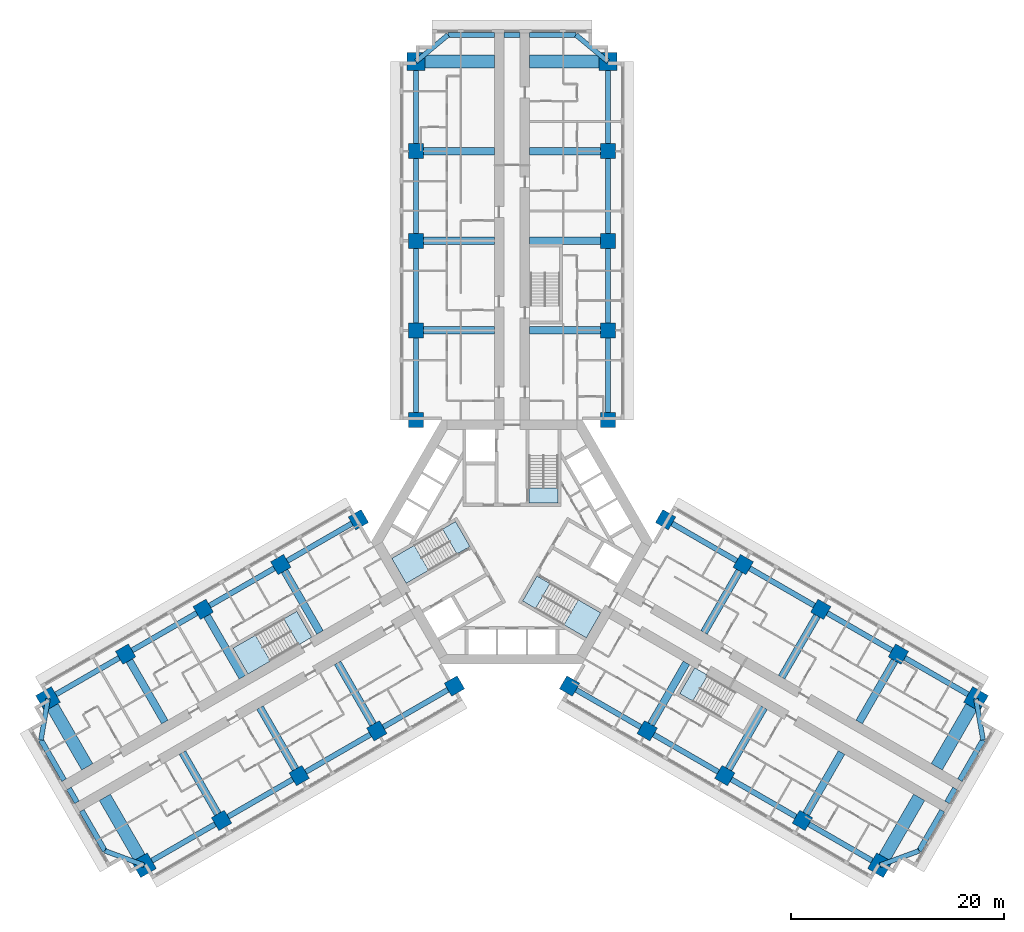
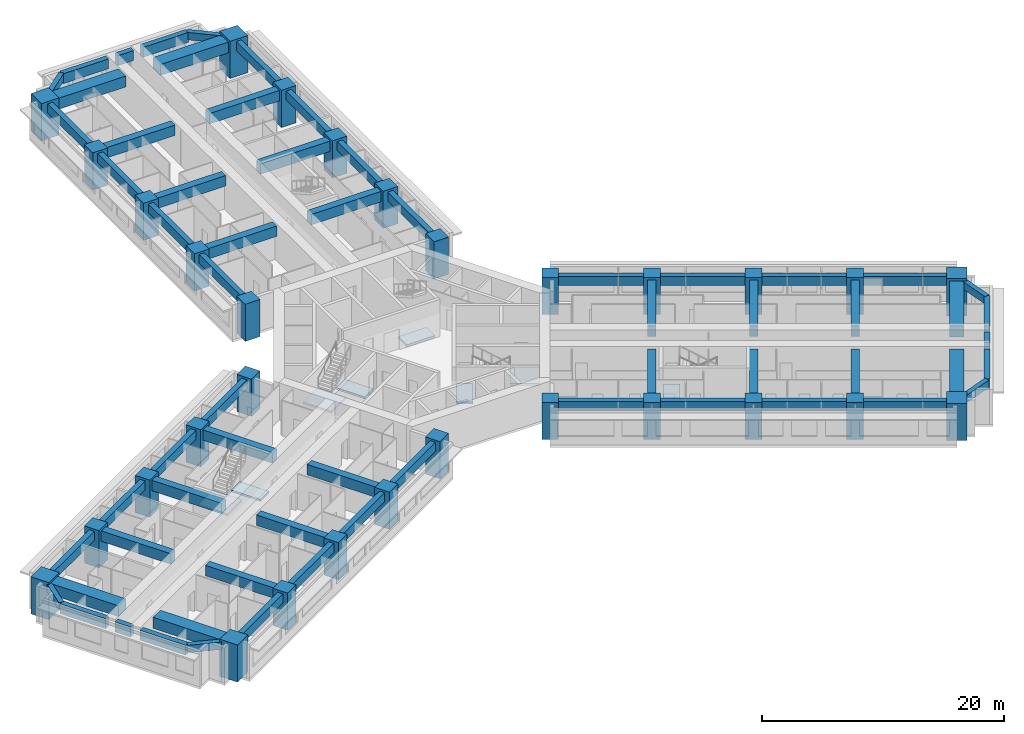
# One storey, part 1 of 15: 63 beams, 30 columns, 8 slabs, 5 elements without a shape of their own.
"""IFC4 building model written with IfcOpenShell, lengths in metres."""

import ifcopenshell
import ifcopenshell.guid

model = None  # the IFC model being written
_history = None  # IfcOwnerHistory: only IFC2X3 demands one
_inside = {}  # id of a spatial element -> (the spatial element, [elements in it])
_under = {}  # id of a project, library or spatial element -> (it, [spatial elements below it])
_declared = {}  # id of a project -> (the project, [libraries it declares])
_typed = {}  # id of a type object -> (the type object, [elements of that type])
_made_of = {}  # id of a material, layer set ... -> (it, [elements and type objects made of it])


def new_model(schema):
    """Start an empty IFC model of exactly this schema.

    Asked for "IFC4X3", IfcOpenShell would pick the latest addendum, in which some entities
    have other attributes; the version numbers below select the first issue.
    IFC2X3 requires an IfcOwnerHistory on every rooted entity: one is made here for all.
    """
    global model, _history
    if schema == "IFC4X3":
        model = ifcopenshell.file(schema_version=(4, 3, 0, 0))
    else:
        model = ifcopenshell.file(schema=schema)
    _inside.clear()
    _under.clear()
    _declared.clear()
    _typed.clear()
    _made_of.clear()
    _history = None
    if model.schema == "IFC2X3":
        org = make("IfcOrganization", Name="unknown")
        user = make(
            "IfcPersonAndOrganization",
            ThePerson=make("IfcPerson", FamilyName="unknown"),
            TheOrganization=org,
        )
        app = make(
            "IfcApplication",
            ApplicationDeveloper=org,
            Version="unknown",
            ApplicationFullName="unknown",
            ApplicationIdentifier="unknown",
        )
        _history = make(
            "IfcOwnerHistory",
            OwningUser=user,
            OwningApplication=app,
            ChangeAction="ADDED",
            CreationDate=0,
        )
    return model


def make(cls, **values):
    """One entity of the class cls with the attributes given. An attribute that is None is left unset."""
    return model.create_entity(
        cls, **{name: value for name, value in values.items() if value is not None}
    )


def rooted(cls, **values):
    """An entity with a GlobalId (a new one), such as an element, a storey or a relation."""
    return make(cls, GlobalId=ifcopenshell.guid.new(), OwnerHistory=_history, **values)


def si_unit(unit_type, name, prefix=None):
    """IfcSIUnit, for example si_unit("LENGTHUNIT", "METRE", prefix="MILLI")."""
    return make("IfcSIUnit", UnitType=unit_type, Prefix=prefix, Name=name)


def assignment(units):
    """IfcUnitAssignment: the units of a project."""
    return None if units is None else make("IfcUnitAssignment", Units=units)


def point(xyz):
    """IfcCartesianPoint."""
    return None if xyz is None else make("IfcCartesianPoint", Coordinates=xyz)


def direction(xyz):
    """IfcDirection."""
    return None if xyz is None else make("IfcDirection", DirectionRatios=xyz)


def frame(location, z_axis=None, x_axis=None):
    """IfcAxis2Placement3D, a coordinate frame: its origin and axes. An axis left out is left unset."""
    return make(
        "IfcAxis2Placement3D",
        Location=point(location),
        Axis=direction(z_axis),
        RefDirection=direction(x_axis),
    )


def frame_2d(location, x_axis=None):
    """IfcAxis2Placement2D, a coordinate frame in the plane: its origin and x axis."""
    return make(
        "IfcAxis2Placement2D", Location=point(location), RefDirection=direction(x_axis)
    )


def origin():
    """The frame at (0, 0, 0) with its axes left unset."""
    return frame((0.0, 0.0, 0.0))


def origin_2d():
    """The frame at (0, 0) in the plane with its x axis left unset."""
    return frame_2d((0.0, 0.0))


def place(relative_to, where):
    """IfcLocalPlacement: puts the frame where relative to a parent placement (None: the world)."""
    return make(
        "IfcLocalPlacement", PlacementRelTo=relative_to, RelativePlacement=where
    )


def context(
    kind, dimensions, precision=None, world=None, true_north=None, identifier=None
):
    """IfcGeometricRepresentationContext, for example the 3D "Model" context."""
    return make(
        "IfcGeometricRepresentationContext",
        ContextIdentifier=identifier,
        ContextType=kind,
        CoordinateSpaceDimension=dimensions,
        Precision=precision,
        WorldCoordinateSystem=world,
        TrueNorth=true_north,
    )


def subcontext(parent, identifier, kind, view, scale=None):
    """IfcGeometricRepresentationSubContext, for example "Body" below "Model"."""
    return make(
        "IfcGeometricRepresentationSubContext",
        ContextIdentifier=identifier,
        ContextType=kind,
        ParentContext=parent,
        TargetScale=scale,
        TargetView=view,
    )


def project(units=None, contexts=None):
    """IfcProject with its units and contexts."""
    return rooted(
        "IfcProject",
        Name="project",
        RepresentationContexts=contexts,
        UnitsInContext=assignment(units),
    )


def spatial(cls, under=None, at=None, **own):
    """A site, building, storey or space (cls), placed at a placement, below another one or the project."""
    s = rooted(cls, ObjectPlacement=at, **own)
    if under is not None:
        _under.setdefault(under.id(), (under, []))[1].append(s)
    return s


def polyline(points):
    """IfcPolyline through the points."""
    return make("IfcPolyline", Points=[point(p) for p in points])


def profile(cls, at=None, kind="AREA", **sizes):
    """A parametric profile (cls). Its sizes go by their IFC names, for example OverallWidth=200.0."""
    return make(cls, ProfileType=kind, Position=at, **sizes)


def rectangle(**sizes):
    """IfcRectangleProfileDef."""
    return profile("IfcRectangleProfileDef", **sizes)


def outline(outer, holes=None, kind="AREA"):
    """IfcArbitraryClosedProfileDef: a profile drawn as a closed curve; with holes, ...WithVoids."""
    if holes is None:
        return make("IfcArbitraryClosedProfileDef", ProfileType=kind, OuterCurve=outer)
    return make(
        "IfcArbitraryProfileDefWithVoids",
        ProfileType=kind,
        OuterCurve=outer,
        InnerCurves=holes,
    )


def extrude(swept, where, along, depth):
    """IfcExtrudedAreaSolid: the profile swept, set in the frame where, extruded along a direction by depth."""
    return make(
        "IfcExtrudedAreaSolid",
        SweptArea=swept,
        Position=where,
        ExtrudedDirection=direction(along),
        Depth=depth,
    )


def shape(context_of_items, identifier, shape_type, items):
    """IfcShapeRepresentation: the items that make up one representation, for example the "Body"."""
    return make(
        "IfcShapeRepresentation",
        ContextOfItems=context_of_items,
        RepresentationIdentifier=identifier,
        RepresentationType=shape_type,
        Items=items,
    )


def material(Name=None, Category=None):
    """IfcMaterial."""
    return make("IfcMaterial", Name=Name, Category=Category)


def layer(
    of_material, thickness, ventilated=None, Name=None, Category=None, Priority=None
):
    """IfcMaterialLayer: one layer of a wall or slab, of a material (None: an air gap)."""
    return make(
        "IfcMaterialLayer",
        Material=of_material,
        LayerThickness=thickness,
        IsVentilated=ventilated,
        Name=Name,
        Category=Category,
        Priority=Priority,
    )


def layer_set(layers, Name=None):
    """IfcMaterialLayerSet."""
    return make("IfcMaterialLayerSet", MaterialLayers=layers, LayerSetName=Name)


def material_profile(
    of_material, cross_section, Name=None, Category=None, Priority=None
):
    """IfcMaterialProfile: a cross section and its material."""
    return make(
        "IfcMaterialProfile",
        Name=Name,
        Material=of_material,
        Profile=cross_section,
        Priority=Priority,
        Category=Category,
    )


def profile_set(profiles, Name=None, composite=None):
    """IfcMaterialProfileSet."""
    return make(
        "IfcMaterialProfileSet",
        Name=Name,
        MaterialProfiles=profiles,
        CompositeProfile=composite,
    )


def made_of(thing, what):
    """Note that an element or type object is made of a material, layer set ...; save() writes the relation."""
    if what is not None:
        _made_of.setdefault(what.id(), (what, []))[1].append(thing)
    return thing


def type_object(cls, material=None, **own):
    """A type object (cls), such as IfcWallType, which elements share."""
    return made_of(rooted(cls, **own), material)


def element(
    cls,
    number,
    at=None,
    inside=None,
    cuts=None,
    type_object=None,
    material=None,
    context=None,
    identifier="Body",
    shape_type=None,
    held_by="IfcProductDefinitionShape",
    body=None,
    shapes=None,
    **own,
):
    """One element of the class cls, such as IfcWall. Its Tag is "e" and its number.

    at: its placement. inside: the storey or other place that contains it. cuts: it is an
    opening in that element (IfcRelVoidsElement). A single representation is given by context,
    identifier, shape_type and body (its items); several are given by shapes. held_by: the class
    of the entity that holds the representations. save() writes the other relations.
    """
    e = rooted(cls, Tag="e%d" % number, ObjectPlacement=at, **own)
    if body is not None:
        shapes = [shape(context, identifier, shape_type, body)]
    if shapes is not None:
        e.Representation = make(held_by, Representations=shapes)
    if inside is not None:
        _inside.setdefault(inside.id(), (inside, []))[1].append(e)
    if cuts is not None:
        rooted(
            "IfcRelVoidsElement", RelatingBuildingElement=cuts, RelatedOpeningElement=e
        )
    if type_object is not None:
        _typed.setdefault(type_object.id(), (type_object, []))[1].append(e)
    return made_of(e, material)


def aggregate(whole, parts):
    """IfcRelAggregates: a whole, such as a stair, and the parts it consists of."""
    return rooted("IfcRelAggregates", RelatingObject=whole, RelatedObjects=parts)


def save(model, path):
    """Write the relations noted so far, then the file.

    IfcRelAggregates (storeys below a building ...), IfcRelContainedInSpatialStructure (elements
    in a storey), IfcRelDefinesByType, IfcRelAssociatesMaterial and IfcRelDeclares: one each for
    every whole, place, type object, material and project.
    """
    for whole, parts in _under.values():
        aggregate(whole, parts)
    for where, things in _inside.values():
        rooted(
            "IfcRelContainedInSpatialStructure",
            RelatedElements=things,
            RelatingStructure=where,
        )
    for kind, things in _typed.values():
        rooted("IfcRelDefinesByType", RelatedObjects=things, RelatingType=kind)
    for what, things in _made_of.values():
        rooted("IfcRelAssociatesMaterial", RelatedObjects=things, RelatingMaterial=what)
    for by, libraries in _declared.values():
        rooted("IfcRelDeclares", RelatingContext=by, RelatedDefinitions=libraries)
    model.write(path)


model = new_model("IFC4")

# Units and contexts
model_context = context("Model", 3, precision=1e-05, world=origin(), true_north=direction((0.0, 1.0)))
body_context = subcontext(model_context, "Body", "Model", "MODEL_VIEW")
ifc_project = project(units=[si_unit("LENGTHUNIT", "METRE"), si_unit("AREAUNIT", "SQUARE_METRE"), si_unit("VOLUMEUNIT", "CUBIC_METRE"), si_unit("PLANEANGLEUNIT", "RADIAN"), si_unit("MASSUNIT", "GRAM", prefix="KILO")], contexts=[model_context])

# Site, building, storey
site_placement = place(None, origin())
site = spatial("IfcSite", under=ifc_project, at=site_placement, CompositionType="ELEMENT")
building_placement = place(site_placement, origin())
building = spatial("IfcBuilding", under=site, at=building_placement, Name="Impinga Residences", CompositionType="ELEMENT")
storey_placement = place(building_placement, frame((0.0, 0.0, 82.25)))
storey = spatial("IfcBuildingStorey", under=building, at=storey_placement, Name="L20", CompositionType="ELEMENT", Elevation=82.25)

# Columns
ifc_material_1 = material(Name="Concrete C70/85", Category="concrete")
ifc_material_profile_1 = material_profile(ifc_material_1, rectangle(XDim=1.699951171875, YDim=1.699951171875, at=origin_2d()), Name="RC 1700x1700")
ifc_profile_set_1 = profile_set([ifc_material_profile_1], Name="Concrete C70/85")
column_type_1 = type_object("IfcColumnType", Name="C10 1700x1700 column", PredefinedType="COLUMN", material=ifc_profile_set_1)
for number, where, z_axis, x_axis, name in (
    (1, (-9.0, 45.031494140625, 0.0), (0.0, 0.0, 1.0), (1.0, 0.0, 0.0), "Column C10 N5/NA L20"),
    (2, (9.0, 45.031494140625, 0.0), (0.0, 0.0, 1.0), (1.0, 0.0, 0.0), "Column C10 N5/NF L20"),
    (3, (-34.49853515625, -30.31005859375, 0.0), (0.0, 0.0, 1.0), (-0.5, 0.866025403784, 0.0), "Column C10 W5/WA L20"),
    (4, (-43.49853515625, -14.721435546875, 0.0), (0.0, 0.0, 1.0), (-0.5, 0.866025403784, 0.0), "Column C10 W5/WF L20"),
    (5, (43.49853515625, -14.721435546875, 0.0), (0.0, 0.0, 1.0), (-0.5, -0.866025403784, 0.0), "Column C10 E5/EA L20"),
    (6, (34.49853515625, -30.31005859375, 0.0), (0.0, 0.0, 1.0), (-0.5, -0.866025403784, 0.0), "Column C10 E5/EF L20"),
):
    element("IfcColumn", number, at=place(storey_placement, frame(where, z_axis=z_axis, x_axis=x_axis)), inside=storey, type_object=column_type_1, Name=name, PredefinedType="COLUMN", context=body_context, shape_type="SweptSolid", body=[
        extrude(rectangle(XDim=1.699951171875, YDim=1.699951171875, at=origin_2d()), origin(), (0.0, 0.0, 1.0), 3.75),
    ])
ifc_material_profile_2 = material_profile(ifc_material_1, rectangle(XDim=1.39990234375, YDim=1.39990234375, at=origin_2d()), Name="RC 1400x1400")
ifc_profile_set_2 = profile_set([ifc_material_profile_2], Name="Concrete C70/85")
column_type_2 = type_object("IfcColumnType", Name="C2 1400x1400 column", PredefinedType="COLUMN", material=ifc_profile_set_2)
for number, where, z_axis, x_axis, name in (
    (7, (-9.0, 11.431640625, 0.0), (0.0, 0.0, 1.0), (1.0, 0.0, 0.0), "Column C2 N1/NA L20"),
    (8, (9.0, 11.431640625, 0.0), (0.0, 0.0, 1.0), (1.0, 0.0, 0.0), "Column C2 N1/NF L20"),
    (9, (-9.0, 19.83154296875, 0.0), (0.0, 0.0, 1.0), (1.0, 0.0, 0.0), "Column C2 N2/NA L20"),
    (10, (9.0, 19.83154296875, 0.0), (0.0, 0.0, 1.0), (1.0, 0.0, 0.0), "Column C2 N2/NF L20"),
    (11, (-9.0, 28.2314453125, 0.0), (0.0, 0.0, 1.0), (1.0, 0.0, 0.0), "Column C2 N3/NA L20"),
    (12, (9.0, 28.2314453125, 0.0), (0.0, 0.0, 1.0), (1.0, 0.0, 0.0), "Column C2 N3/NF L20"),
    (13, (-9.0, 36.631591796875, 0.0), (0.0, 0.0, 1.0), (1.0, 0.0, 0.0), "Column C2 N4/NA L20"),
    (14, (9.0, 36.631591796875, 0.0), (0.0, 0.0, 1.0), (1.0, 0.0, 0.0), "Column C2 N4/NF L20"),
    (15, (-5.39990234375, -13.510009765625, 0.0), (0.0, 0.0, 1.0), (-0.5, 0.866025403784, 0.0), "Column C2 W1/WA L20"),
    (16, (-14.39990234375, 2.078369140625, 0.0), (0.0, 0.0, 1.0), (-0.5, 0.866025403784, 0.0), "Column C2 W1/WF L20"),
    (17, (-12.674560546875, -17.7099609375, 0.0), (0.0, 0.0, 1.0), (-0.5, 0.866025403784, 0.0), "Column C2 W2/WA L20"),
    (18, (-21.674560546875, -2.12158203125, 0.0), (0.0, 0.0, 1.0), (-0.5, 0.866025403784, 0.0), "Column C2 W2/WF L20"),
    (19, (-19.94921875, -21.909912109375, 0.0), (0.0, 0.0, 1.0), (-0.5, 0.866025403784, 0.0), "Column C2 W3/WA L20"),
    (20, (-28.94921875, -6.321533203125, 0.0), (0.0, 0.0, 1.0), (-0.5, 0.866025403784, 0.0), "Column C2 W3/WF L20"),
    (21, (-27.223876953125, -26.110107421875, 0.0), (0.0, 0.0, 1.0), (-0.5, 0.866025403784, 0.0), "Column C2 W4/WA L20"),
    (22, (-36.223876953125, -10.521484375, 0.0), (0.0, 0.0, 1.0), (-0.5, 0.866025403784, 0.0), "Column C2 W4/WF L20"),
    (23, (14.39990234375, 2.078369140625, 0.0), (0.0, 0.0, 1.0), (-0.5, -0.866025403784, 0.0), "Column C2 E1/EA L20"),
    (24, (5.39990234375, -13.510009765625, 0.0), (0.0, 0.0, 1.0), (-0.5, -0.866025403784, 0.0), "Column C2 E1/EF L20"),
    (25, (21.674560546875, -2.12158203125, 0.0), (0.0, 0.0, 1.0), (-0.5, -0.866025403784, 0.0), "Column C2 E2/EA L20"),
    (26, (12.674560546875, -17.7099609375, 0.0), (0.0, 0.0, 1.0), (-0.5, -0.866025403784, 0.0), "Column C2 E2/EF L20"),
    (27, (28.94921875, -6.321533203125, 0.0), (0.0, 0.0, 1.0), (-0.5, -0.866025403784, 0.0), "Column C2 E3/EA L20"),
    (28, (19.94921875, -21.909912109375, 0.0), (0.0, 0.0, 1.0), (-0.5, -0.866025403784, 0.0), "Column C2 E3/EF L20"),
    (29, (36.223876953125, -10.521484375, 0.0), (0.0, 0.0, 1.0), (-0.5, -0.866025403784, 0.0), "Column C2 E4/EA L20"),
    (30, (27.223876953125, -26.110107421875, 0.0), (0.0, 0.0, 1.0), (-0.5, -0.866025403784, 0.0), "Column C2 E4/EF L20"),
):
    element("IfcColumn", number, at=place(storey_placement, frame(where, z_axis=z_axis, x_axis=x_axis)), inside=storey, type_object=column_type_2, Name=name, PredefinedType="COLUMN", context=body_context, shape_type="SweptSolid", body=[
        extrude(rectangle(XDim=1.39990234375, YDim=1.39990234375, at=origin_2d()), origin(), (0.0, 0.0, 1.0), 3.75),
    ])

# Beams
ifc_material_2 = material(Name="Concrete C60/75", Category="concrete")
ifc_material_profile_3 = material_profile(ifc_material_2, rectangle(XDim=0.449951171875, YDim=0.75, at=origin_2d()), Name="RC 450x750")
ifc_profile_set_3 = profile_set([ifc_material_profile_3], Name="Concrete C60/75")
beam_type_1 = type_object("IfcBeamType", Name="CB1 450x750 wing end cantilever beam", PredefinedType="BEAM", material=ifc_profile_set_3)
for number, where, z_axis, x_axis, name in (
    (31, (-9.0, 45.031494140625, 3.155029296875), (0.768221279597, 0.640184399664, 0.0), (-0.640184399664, 0.768221279597, 0.0), "Beam CB1 NB N5-NX level L21"),
    (32, (9.0, 45.031494140625, 3.155029296875), (-0.768221279597, 0.640184399664, 0.0), (-0.640184399664, -0.768221279597, 0.0), "Beam CB1 NE N5-NX level L21"),
    (33, (-34.49853515625, -30.31005859375, 3.155029296875), (-0.938520178725, 0.345224382289, 0.0), (-0.345224382289, -0.938520178725, 0.0), "Beam CB1 WB W5-WX level L21"),
):
    element("IfcBeam", number, at=place(storey_placement, frame(where, z_axis=z_axis, x_axis=x_axis)), inside=storey, type_object=beam_type_1, Name=name, PredefinedType="BEAM", context=body_context, shape_type="SweptSolid", body=[
        extrude(rectangle(XDim=0.449951171875, YDim=0.75, at=origin_2d()), origin(), (0.0, 0.0, 1.0), 3.905029296875),
    ])
for number, where, z_axis, x_axis, name in (
    (34, (-43.49853515625, -14.721435546875, 3.155029296875), (-0.170296298948, -0.985392901621, 0.0), (0.985392901621, -0.170296298948, 0.0), "Beam CB1 WE W5-WX level L21"),
    (35, (43.49853515625, -14.721435546875, 3.155029296875), (0.170296298948, -0.985392901621, 0.0), (0.985392901621, 0.170296298948, 0.0), "Beam CB1 EB E5-EX level L21"),
):
    element("IfcBeam", number, at=place(storey_placement, frame(where, z_axis=z_axis, x_axis=x_axis)), inside=storey, type_object=beam_type_1, Name=name, PredefinedType="BEAM", context=body_context, shape_type="SweptSolid", body=[
        extrude(rectangle(XDim=0.449951171875, YDim=0.75, at=origin_2d()), origin(), (0.0, 0.0, 1.0), 3.9052734375),
    ])
beam_1_placement = place(storey_placement, frame((34.49853515625, -30.31005859375, 3.155029296875), z_axis=(0.938520178725, 0.345224382289, 0.0), x_axis=(-0.345224382289, 0.938520178725, 0.0)))
element("IfcBeam", 36, at=beam_1_placement, inside=storey, type_object=beam_type_1, Name="Beam CB1 EE E5-EX level L21", PredefinedType="BEAM", context=body_context, shape_type="SweptSolid", body=[
    extrude(rectangle(XDim=0.449951171875, YDim=0.75, at=origin_2d()), origin(), (0.0, 0.0, 1.0), 3.905029296875),
])
ifc_material_profile_4 = material_profile(ifc_material_2, rectangle(XDim=0.699951171875, YDim=1.050048828125, at=origin_2d()), Name="RC 700x1050")
ifc_profile_set_4 = profile_set([ifc_material_profile_4], Name="Concrete C60/75")
beam_type_2 = type_object("IfcBeamType", Name="CG1 700x1050 cross girder on a wing bay line", PredefinedType="BEAM", material=ifc_profile_set_4)
for number, where, z_axis, x_axis, name in (
    (37, (-1.64990234375, 19.83154296875, 3.0048828125), (-1.0, 0.0, 0.0), (0.0, -1.0, 0.0), "Beam CG1 N2 NC/NA level L21"),
    (38, (-1.64990234375, 28.2314453125, 3.0048828125), (-1.0, 0.0, 0.0), (0.0, -1.0, 0.0), "Beam CG1 N3 NC/NA level L21"),
    (39, (-1.64990234375, 36.631591796875, 3.0048828125), (-1.0, 0.0, 0.0), (0.0, -1.0, 0.0), "Beam CG1 N4 NC/NA level L21"),
    (40, (1.64990234375, 19.83154296875, 3.0048828125), (1.0, 0.0, 0.0), (0.0, 1.0, 0.0), "Beam CG1 N2 NC/NF level L21"),
    (41, (1.64990234375, 28.2314453125, 3.0048828125), (1.0, 0.0, 0.0), (0.0, 1.0, 0.0), "Beam CG1 N3 NC/NF level L21"),
    (42, (1.64990234375, 36.631591796875, 3.0048828125), (1.0, 0.0, 0.0), (0.0, 1.0, 0.0), "Beam CG1 N4 NC/NF level L21"),
    (43, (-16.349609375, -11.3447265625, 3.0048828125), (0.500008066151, -0.86602074674, 0.0), (0.86602074674, 0.500008066151, 0.0), "Beam CG1 W2 WC/WA level L21"),
    (44, (-23.624267578125, -15.544677734375, 3.0048828125), (0.500008066151, -0.86602074674, 0.0), (0.86602074674, 0.500008066151, 0.0), "Beam CG1 W3 WC/WA level L21"),
    (45, (-30.89892578125, -19.74462890625, 3.0048828125), (0.499993683172, -0.866029050776, 0.0), (0.866029050776, 0.499993683172, 0.0), "Beam CG1 W4 WC/WA level L21"),
    (46, (-17.99951171875, -8.48681640625, 3.0048828125), (-0.500008066151, 0.86602074674, 0.0), (-0.86602074674, -0.500008066151, 0.0), "Beam CG1 W2 WC/WF level L21"),
    (47, (-25.274169921875, -12.686767578125, 3.0048828125), (-0.500008066151, 0.86602074674, 0.0), (-0.86602074674, -0.500008066151, 0.0), "Beam CG1 W3 WC/WF level L21"),
    (48, (-32.548828125, -16.88671875, 3.0048828125), (-0.500008066151, 0.86602074674, 0.0), (-0.86602074674, -0.500008066151, 0.0), "Beam CG1 W4 WC/WF level L21"),
    (49, (17.99951171875, -8.48681640625, 3.0048828125), (0.500008066151, 0.86602074674, 0.0), (-0.86602074674, 0.500008066151, 0.0), "Beam CG1 E2 EC/EA level L21"),
    (50, (25.274169921875, -12.686767578125, 3.0048828125), (0.500008066151, 0.86602074674, 0.0), (-0.86602074674, 0.500008066151, 0.0), "Beam CG1 E3 EC/EA level L21"),
    (51, (32.548828125, -16.88671875, 3.0048828125), (0.500008066151, 0.86602074674, 0.0), (-0.86602074674, 0.500008066151, 0.0), "Beam CG1 E4 EC/EA level L21"),
    (52, (16.349609375, -11.3447265625, 3.0048828125), (-0.500008066151, -0.86602074674, 0.0), (0.86602074674, -0.500008066151, 0.0), "Beam CG1 E2 EC/EF level L21"),
    (53, (23.624267578125, -15.544677734375, 3.0048828125), (-0.500008066151, -0.86602074674, 0.0), (0.86602074674, -0.500008066151, 0.0), "Beam CG1 E3 EC/EF level L21"),
    (54, (30.89892578125, -19.74462890625, 3.0048828125), (-0.499993683172, -0.866029050776, 0.0), (0.866029050776, -0.499993683172, 0.0), "Beam CG1 E4 EC/EF level L21"),
):
    element("IfcBeam", number, at=place(storey_placement, frame(where, z_axis=z_axis, x_axis=x_axis)), inside=storey, type_object=beam_type_2, Name=name, PredefinedType="BEAM", context=body_context, shape_type="SweptSolid", body=[
        extrude(rectangle(XDim=0.699951171875, YDim=1.050048828125, at=origin_2d()), origin(), (0.0, 0.0, 1.0), 7.35009765625),
    ])
ifc_material_profile_5 = material_profile(ifc_material_2, rectangle(XDim=1.199951171875, YDim=1.10009765625, at=origin_2d()), Name="RC 1200x1100")
ifc_profile_set_5 = profile_set([ifc_material_profile_5], Name="Concrete C60/75")
beam_type_3 = type_object("IfcBeamType", Name="CG5 1200x1100 cross girder on the wing tip bay line under the L23 outrigger storey", PredefinedType="BEAM", material=ifc_profile_set_5)
for number, where, z_axis, x_axis, name in (
    (55, (-1.64990234375, 45.031494140625, 2.97998046875), (-1.0, 0.0, 0.0), (0.0, -1.0, 0.0), "Beam CG5 N5 NC/NA level L21"),
    (56, (1.64990234375, 45.031494140625, 2.97998046875), (1.0, 0.0, 0.0), (0.0, 1.0, 0.0), "Beam CG5 N5 NC/NF level L21"),
):
    element("IfcBeam", number, at=place(storey_placement, frame(where, z_axis=z_axis, x_axis=x_axis)), inside=storey, type_object=beam_type_3, Name=name, PredefinedType="BEAM", context=body_context, shape_type="SweptSolid", body=[
        extrude(rectangle(XDim=1.199951171875, YDim=1.10009765625, at=origin_2d()), origin(), (0.0, 0.0, 1.0), 7.35009765625),
    ])
beam_2_placement = place(storey_placement, frame((-38.17333984375, -23.94482421875, 2.97998046875), z_axis=(0.499983153418, -0.866035129944, 0.0), x_axis=(0.866035129944, 0.499983153418, 0.0)))
element("IfcBeam", 57, at=beam_2_placement, inside=storey, type_object=beam_type_3, Name="Beam CG5 W5 WC/WA level L21", PredefinedType="BEAM", context=body_context, shape_type="SweptSolid", body=[
    extrude(rectangle(XDim=1.199951171875, YDim=1.10009765625, at=origin_2d()), origin(), (0.0, 0.0, 1.0), 7.349853515625),
])
for number, where, z_axis, x_axis, name in (
    (58, (-39.823486328125, -21.0869140625, 2.97998046875), (-0.499993683172, 0.866029050776, 0.0), (-0.866029050776, -0.499993683172, 0.0), "Beam CG5 W5 WC/WF level L21"),
    (59, (39.823486328125, -21.0869140625, 2.97998046875), (0.499993683172, 0.866029050776, 0.0), (-0.866029050776, 0.499993683172, 0.0), "Beam CG5 E5 EC/EA level L21"),
):
    element("IfcBeam", number, at=place(storey_placement, frame(where, z_axis=z_axis, x_axis=x_axis)), inside=storey, type_object=beam_type_3, Name=name, PredefinedType="BEAM", context=body_context, shape_type="SweptSolid", body=[
        extrude(rectangle(XDim=1.199951171875, YDim=1.10009765625, at=origin_2d()), origin(), (0.0, 0.0, 1.0), 7.35009765625),
    ])
beam_3_placement = place(storey_placement, frame((38.17333984375, -23.94482421875, 2.97998046875), z_axis=(-0.499983153418, -0.866035129944, 0.0), x_axis=(0.866035129944, -0.499983153418, 0.0)))
element("IfcBeam", 60, at=beam_3_placement, inside=storey, type_object=beam_type_3, Name="Beam CG5 E5 EC/EF level L21", PredefinedType="BEAM", context=body_context, shape_type="SweptSolid", body=[
    extrude(rectangle(XDim=1.199951171875, YDim=1.10009765625, at=origin_2d()), origin(), (0.0, 0.0, 1.0), 7.349853515625),
])
ifc_material_profile_6 = material_profile(ifc_material_2, rectangle(XDim=0.5, YDim=1.0, at=origin_2d()), Name="RC 500x1000")
ifc_profile_set_6 = profile_set([ifc_material_profile_6], Name="Concrete C60/75")
beam_type_4 = type_object("IfcBeamType", Name="EB1 500x1000 wing end beam", PredefinedType="BEAM", material=ifc_profile_set_6)
beam_4_placement = place(storey_placement, frame((-6.0, 47.531494140625, 3.030029296875), z_axis=(1.0, 0.0, 0.0), x_axis=(0.0, 1.0, 0.0)))
element("IfcBeam", 61, at=beam_4_placement, inside=storey, type_object=beam_type_4, Name="Beam EB1 NX4 level L21", PredefinedType="BEAM", context=body_context, shape_type="SweptSolid", body=[
    extrude(rectangle(XDim=0.5, YDim=1.0, at=origin_2d()), origin(), (0.0, 0.0, 1.0), 4.35009765625),
])
beam_5_placement = place(storey_placement, frame((-0.75, 47.531494140625, 3.030029296875), z_axis=(1.0, 0.0, 0.0), x_axis=(0.0, 1.0, 0.0)))
element("IfcBeam", 62, at=beam_5_placement, inside=storey, type_object=beam_type_4, Name="Beam EB1 NX4 level L21", PredefinedType="BEAM", context=body_context, shape_type="SweptSolid", body=[
    extrude(rectangle(XDim=0.5, YDim=1.0, at=origin_2d()), origin(), (0.0, 0.0, 1.0), 1.5),
])
beam_6_placement = place(storey_placement, frame((1.64990234375, 47.531494140625, 3.030029296875), z_axis=(1.0, 0.0, 0.0), x_axis=(0.0, 1.0, 0.0)))
element("IfcBeam", 63, at=beam_6_placement, inside=storey, type_object=beam_type_4, Name="Beam EB1 NX4 level L21", PredefinedType="BEAM", context=body_context, shape_type="SweptSolid", body=[
    extrude(rectangle(XDim=0.5, YDim=1.0, at=origin_2d()), origin(), (0.0, 0.0, 1.0), 4.35009765625),
])
beam_7_placement = place(storey_placement, frame((-38.16357421875, -28.9619140625, 3.030029296875), z_axis=(-0.500020430026, 0.866013608182, 0.0), x_axis=(-0.866013608182, -0.500020430026, 0.0)))
element("IfcBeam", 64, at=beam_7_placement, inside=storey, type_object=beam_type_4, Name="Beam EB1 WX4 level L21", PredefinedType="BEAM", context=body_context, shape_type="SweptSolid", body=[
    extrude(rectangle(XDim=0.5, YDim=1.0, at=origin_2d()), origin(), (0.0, 0.0, 1.0), 4.349853515625),
])
beam_8_placement = place(storey_placement, frame((-40.78857421875, -24.415283203125, 3.030029296875), z_axis=(-0.499990139034, 0.866031096941, 0.0), x_axis=(-0.866031096941, -0.499990139034, 0.0)))
element("IfcBeam", 65, at=beam_8_placement, inside=storey, type_object=beam_type_4, Name="Beam EB1 WX4 level L21", PredefinedType="BEAM", context=body_context, shape_type="SweptSolid", body=[
    extrude(rectangle(XDim=0.5, YDim=1.0, at=origin_2d()), origin(), (0.0, 0.0, 1.0), 1.5),
])
for number, where, z_axis, x_axis, name in (
    (66, (-41.988525390625, -22.3369140625, 3.030029296875), (-0.499996127374, 0.866027639635, 0.0), (-0.866027639635, -0.499996127374, 0.0), "Beam EB1 WX4 level L21"),
    (67, (44.16357421875, -18.569580078125, 3.030029296875), (-0.499996127374, -0.866027639635, 0.0), (0.866027639635, -0.499996127374, 0.0), "Beam EB1 EX4 level L21"),
):
    element("IfcBeam", number, at=place(storey_placement, frame(where, z_axis=z_axis, x_axis=x_axis)), inside=storey, type_object=beam_type_4, Name=name, PredefinedType="BEAM", context=body_context, shape_type="SweptSolid", body=[
        extrude(rectangle(XDim=0.5, YDim=1.0, at=origin_2d()), origin(), (0.0, 0.0, 1.0), 4.35009765625),
    ])
beam_9_placement = place(storey_placement, frame((41.53857421875, -23.1162109375, 3.030029296875), z_axis=(-0.499990139034, -0.866031096941, 0.0), x_axis=(0.866031096941, -0.499990139034, 0.0)))
element("IfcBeam", 68, at=beam_9_placement, inside=storey, type_object=beam_type_4, Name="Beam EB1 EX4 level L21", PredefinedType="BEAM", context=body_context, shape_type="SweptSolid", body=[
    extrude(rectangle(XDim=0.5, YDim=1.0, at=origin_2d()), origin(), (0.0, 0.0, 1.0), 1.5),
])
beam_10_placement = place(storey_placement, frame((40.338623046875, -25.19482421875, 3.030029296875), z_axis=(-0.500020430026, -0.866013608182, 0.0), x_axis=(0.866013608182, -0.500020430026, 0.0)))
element("IfcBeam", 69, at=beam_10_placement, inside=storey, type_object=beam_type_4, Name="Beam EB1 EX4 level L21", PredefinedType="BEAM", context=body_context, shape_type="SweptSolid", body=[
    extrude(rectangle(XDim=0.5, YDim=1.0, at=origin_2d()), origin(), (0.0, 0.0, 1.0), 4.349853515625),
])
ifc_material_profile_7 = material_profile(ifc_material_2, rectangle(XDim=0.5, YDim=0.89990234375, at=origin_2d()), Name="RC 500x900")
ifc_profile_set_7 = profile_set([ifc_material_profile_7], Name="Concrete C60/75")
beam_type_5 = type_object("IfcBeamType", Name="SB1 500x900 perimeter spandrel beam", PredefinedType="SPANDREL", material=ifc_profile_set_7)
for number, where, z_axis, x_axis, name in (
    (70, (-9.0, 11.431640625, 3.080078125), (0.0, 1.0, 0.0), (-1.0, 0.0, 0.0), "Beam SB1 NA N1-N2 level L21"),
    (71, (-9.0, 19.83154296875, 3.080078125), (0.0, 1.0, 0.0), (-1.0, 0.0, 0.0), "Beam SB1 NA N2-N3 level L21"),
):
    element("IfcBeam", number, at=place(storey_placement, frame(where, z_axis=z_axis, x_axis=x_axis)), inside=storey, type_object=beam_type_5, Name=name, PredefinedType="SPANDREL", context=body_context, shape_type="SweptSolid", body=[
        extrude(rectangle(XDim=0.5, YDim=0.89990234375, at=origin_2d()), origin(), (0.0, 0.0, 1.0), 8.39990234375),
    ])
beam_11_placement = place(storey_placement, frame((-9.0, 28.2314453125, 3.080078125), z_axis=(0.0, 1.0, 0.0), x_axis=(-1.0, 0.0, 0.0)))
element("IfcBeam", 72, at=beam_11_placement, inside=storey, type_object=beam_type_5, Name="Beam SB1 NA N3-N4 level L21", PredefinedType="SPANDREL", context=body_context, shape_type="SweptSolid", body=[
    extrude(rectangle(XDim=0.5, YDim=0.89990234375, at=origin_2d()), origin(), (0.0, 0.0, 1.0), 8.400146484375),
])
for number, where, z_axis, x_axis, name in (
    (73, (-9.0, 36.631591796875, 3.080078125), (0.0, 1.0, 0.0), (-1.0, 0.0, 0.0), "Beam SB1 NA N4-N5 level L21"),
    (74, (9.0, 11.431640625, 3.080078125), (0.0, 1.0, 0.0), (-1.0, 0.0, 0.0), "Beam SB1 NF N1-N2 level L21"),
    (75, (9.0, 19.83154296875, 3.080078125), (0.0, 1.0, 0.0), (-1.0, 0.0, 0.0), "Beam SB1 NF N2-N3 level L21"),
):
    element("IfcBeam", number, at=place(storey_placement, frame(where, z_axis=z_axis, x_axis=x_axis)), inside=storey, type_object=beam_type_5, Name=name, PredefinedType="SPANDREL", context=body_context, shape_type="SweptSolid", body=[
        extrude(rectangle(XDim=0.5, YDim=0.89990234375, at=origin_2d()), origin(), (0.0, 0.0, 1.0), 8.39990234375),
    ])
beam_12_placement = place(storey_placement, frame((9.0, 28.2314453125, 3.080078125), z_axis=(0.0, 1.0, 0.0), x_axis=(-1.0, 0.0, 0.0)))
element("IfcBeam", 76, at=beam_12_placement, inside=storey, type_object=beam_type_5, Name="Beam SB1 NF N3-N4 level L21", PredefinedType="SPANDREL", context=body_context, shape_type="SweptSolid", body=[
    extrude(rectangle(XDim=0.5, YDim=0.89990234375, at=origin_2d()), origin(), (0.0, 0.0, 1.0), 8.400146484375),
])
for number, where, z_axis, x_axis, name in (
    (77, (9.0, 36.631591796875, 3.080078125), (0.0, 1.0, 0.0), (-1.0, 0.0, 0.0), "Beam SB1 NF N4-N5 level L21"),
    (78, (-5.39990234375, -13.510009765625, 3.080078125), (-0.86602925447, -0.499993330357, 0.0), (0.499993330357, -0.86602925447, 0.0), "Beam SB1 WA W1-W2 level L21"),
    (79, (-12.674560546875, -17.7099609375, 3.080078125), (-0.86602925447, -0.499993330357, 0.0), (0.499993330357, -0.86602925447, 0.0), "Beam SB1 WA W2-W3 level L21"),
):
    element("IfcBeam", number, at=place(storey_placement, frame(where, z_axis=z_axis, x_axis=x_axis)), inside=storey, type_object=beam_type_5, Name=name, PredefinedType="SPANDREL", context=body_context, shape_type="SweptSolid", body=[
        extrude(rectangle(XDim=0.5, YDim=0.89990234375, at=origin_2d()), origin(), (0.0, 0.0, 1.0), 8.39990234375),
    ])
beam_13_placement = place(storey_placement, frame((-19.94921875, -21.909912109375, 3.080078125), z_axis=(-0.866016669275, -0.500015128309, 0.0), x_axis=(0.500015128309, -0.866016669275, 0.0)))
element("IfcBeam", 80, at=beam_13_placement, inside=storey, type_object=beam_type_5, Name="Beam SB1 WA W3-W4 level L21", PredefinedType="SPANDREL", context=body_context, shape_type="SweptSolid", body=[
    extrude(rectangle(XDim=0.5, YDim=0.89990234375, at=origin_2d()), origin(), (0.0, 0.0, 1.0), 8.400146484375),
])
for number, where, z_axis, x_axis, name in (
    (81, (-27.223876953125, -26.110107421875, 3.080078125), (-0.86602925447, -0.499993330357, 0.0), (0.499993330357, -0.86602925447, 0.0), "Beam SB1 WA W4-W5 level L21"),
    (82, (-14.39990234375, 2.078369140625, 3.080078125), (-0.86602925447, -0.499993330357, 0.0), (0.499993330357, -0.86602925447, 0.0), "Beam SB1 WF W1-W2 level L21"),
    (83, (-21.674560546875, -2.12158203125, 3.080078125), (-0.86602925447, -0.499993330357, 0.0), (0.499993330357, -0.86602925447, 0.0), "Beam SB1 WF W2-W3 level L21"),
    (84, (-28.94921875, -6.321533203125, 3.080078125), (-0.86602925447, -0.499993330357, 0.0), (0.499993330357, -0.86602925447, 0.0), "Beam SB1 WF W3-W4 level L21"),
    (85, (-36.223876953125, -10.521484375, 3.080078125), (-0.86602925447, -0.499993330357, 0.0), (0.499993330357, -0.86602925447, 0.0), "Beam SB1 WF W4-W5 level L21"),
    (86, (14.39990234375, 2.078369140625, 3.080078125), (0.86602925447, -0.499993330357, 0.0), (0.499993330357, 0.86602925447, 0.0), "Beam SB1 EA E1-E2 level L21"),
    (87, (21.674560546875, -2.12158203125, 3.080078125), (0.86602925447, -0.499993330357, 0.0), (0.499993330357, 0.86602925447, 0.0), "Beam SB1 EA E2-E3 level L21"),
    (88, (28.94921875, -6.321533203125, 3.080078125), (0.86602925447, -0.499993330357, 0.0), (0.499993330357, 0.86602925447, 0.0), "Beam SB1 EA E3-E4 level L21"),
    (89, (36.223876953125, -10.521484375, 3.080078125), (0.86602925447, -0.499993330357, 0.0), (0.499993330357, 0.86602925447, 0.0), "Beam SB1 EA E4-E5 level L21"),
    (90, (5.39990234375, -13.510009765625, 3.080078125), (0.86602925447, -0.499993330357, 0.0), (0.499993330357, 0.86602925447, 0.0), "Beam SB1 EF E1-E2 level L21"),
    (91, (12.674560546875, -17.7099609375, 3.080078125), (0.86602925447, -0.499993330357, 0.0), (0.499993330357, 0.86602925447, 0.0), "Beam SB1 EF E2-E3 level L21"),
):
    element("IfcBeam", number, at=place(storey_placement, frame(where, z_axis=z_axis, x_axis=x_axis)), inside=storey, type_object=beam_type_5, Name=name, PredefinedType="SPANDREL", context=body_context, shape_type="SweptSolid", body=[
        extrude(rectangle(XDim=0.5, YDim=0.89990234375, at=origin_2d()), origin(), (0.0, 0.0, 1.0), 8.39990234375),
    ])
beam_14_placement = place(storey_placement, frame((19.94921875, -21.909912109375, 3.080078125), z_axis=(0.866016669275, -0.500015128309, 0.0), x_axis=(0.500015128309, 0.866016669275, 0.0)))
element("IfcBeam", 92, at=beam_14_placement, inside=storey, type_object=beam_type_5, Name="Beam SB1 EF E3-E4 level L21", PredefinedType="SPANDREL", context=body_context, shape_type="SweptSolid", body=[
    extrude(rectangle(XDim=0.5, YDim=0.89990234375, at=origin_2d()), origin(), (0.0, 0.0, 1.0), 8.400146484375),
])
beam_15_placement = place(storey_placement, frame((27.223876953125, -26.110107421875, 3.080078125), z_axis=(0.86602925447, -0.499993330357, 0.0), x_axis=(0.499993330357, 0.86602925447, 0.0)))
element("IfcBeam", 93, at=beam_15_placement, inside=storey, type_object=beam_type_5, Name="Beam SB1 EF E4-E5 level L21", PredefinedType="SPANDREL", context=body_context, shape_type="SweptSolid", body=[
    extrude(rectangle(XDim=0.5, YDim=0.89990234375, at=origin_2d()), origin(), (0.0, 0.0, 1.0), 8.39990234375),
])

# Stair, slab
ifc_material_3 = material(Name="Concrete C40/50", Category="concrete")
stair_type_1 = type_object("IfcStairType", Name="STR core stair 3750 storey, 24 risers", PredefinedType="HALF_TURN_STAIR", material=ifc_material_3)
stair_1_placement = place(storey_placement, origin())
stair_1 = element("IfcStair", 94, at=stair_1_placement, inside=storey, type_object=stair_type_1, Name="Stair ST1 L20", PredefinedType="HALF_TURN_STAIR")
ifc_layer = layer(ifc_material_3, 0.199951171875)
ifc_layer_set = layer_set([ifc_layer], Name="Concrete C40/50")
slab_type = type_object("IfcSlabType", Name="LS1 stair landing 200", PredefinedType="LANDING", material=ifc_layer_set)
slab_1_placement = place(storey_placement, frame((0.0, 0.0, -0.199951171875)))
slab_1 = element("IfcSlab", 95, at=slab_1_placement, type_object=slab_type, Name="ST1 landing 1", PredefinedType="LANDING", context=body_context, shape_type="SweptSolid", body=[
    extrude(outline(polyline([(1.60009765625, 3.6298828125), (4.300048828125, 3.6298828125), (4.300048828125, 5.0400390625), (1.60009765625, 5.0400390625), (1.60009765625, 3.6298828125)])), origin(), (0.0, 0.0, 1.0), 0.199951171875),
])
aggregate(stair_1, [slab_1])

# Stair, slabs
stair_2_placement = place(storey_placement, origin())
stair_2 = element("IfcStair", 96, at=stair_2_placement, inside=storey, type_object=stair_type_1, Name="Stair ST2 L20", PredefinedType="HALF_TURN_STAIR")
slab_2_placement = place(storey_placement, frame((0.0, 0.0, -0.199951171875)))
slab_2 = element("IfcSlab", 97, at=slab_2_placement, type_object=slab_type, Name="ST2 landing 1", PredefinedType="LANDING", context=body_context, shape_type="SweptSolid", body=[
    extrude(outline(polyline([(-3.943603515625, -0.429443359375), (-5.293701171875, 1.908935546875), (-6.5146484375, 1.203857421875), (-5.164794921875, -1.13427734375), (-3.943603515625, -0.429443359375)])), origin(), (0.0, 0.0, 1.0), 0.199951171875),
])
slab_3_placement = place(storey_placement, frame((0.0, 0.0, 1.675048828125)))
slab_3 = element("IfcSlab", 98, at=slab_3_placement, type_object=slab_type, Name="ST2 landing 2", PredefinedType="LANDING", context=body_context, shape_type="SweptSolid", body=[
    extrude(outline(polyline([(-7.814697265625, -2.664306640625), (-9.164794921875, -0.326171875), (-11.2705078125, -1.541748046875), (-9.920654296875, -3.880126953125), (-7.814697265625, -2.664306640625)])), origin(), (0.0, 0.0, 1.0), 0.199951171875),
])
aggregate(stair_2, [slab_2, slab_3])

stair_3_placement = place(storey_placement, origin())
stair_3 = element("IfcStair", 99, at=stair_3_placement, inside=storey, type_object=stair_type_1, Name="Stair ST3 L20", PredefinedType="HALF_TURN_STAIR")
slab_4_placement = place(storey_placement, frame((0.0, 0.0, -0.199951171875)))
slab_4 = element("IfcSlab", 100, at=slab_4_placement, type_object=slab_type, Name="ST3 landing 1", PredefinedType="LANDING", context=body_context, shape_type="SweptSolid", body=[
    extrude(outline(polyline([(2.34375, -3.20068359375), (0.99365234375, -5.538818359375), (2.21484375, -6.243896484375), (3.564697265625, -3.90576171875), (2.34375, -3.20068359375)])), origin(), (0.0, 0.0, 1.0), 0.199951171875),
])
slab_5_placement = place(storey_placement, frame((0.0, 0.0, 1.675048828125)))
slab_5 = element("IfcSlab", 101, at=slab_5_placement, type_object=slab_type, Name="ST3 landing 2", PredefinedType="LANDING", context=body_context, shape_type="SweptSolid", body=[
    extrude(outline(polyline([(6.21484375, -5.435546875), (4.86474609375, -7.77392578125), (6.970458984375, -8.98974609375), (8.320556640625, -6.6513671875), (6.21484375, -5.435546875)])), origin(), (0.0, 0.0, 1.0), 0.199951171875),
])
aggregate(stair_3, [slab_4, slab_5])

stair_type_2 = type_object("IfcStairType", Name="STR wing stair 3750 storey, 24 risers", PredefinedType="HALF_TURN_STAIR", material=ifc_material_3)
stair_4_placement = place(storey_placement, origin())
stair_4 = element("IfcStair", 102, at=stair_4_placement, inside=storey, type_object=stair_type_2, Name="Stair WS2 L20", PredefinedType="HALF_TURN_STAIR")
slab_6_placement = place(storey_placement, frame((0.0, 0.0, -0.199951171875)))
slab_6 = element("IfcSlab", 103, at=slab_6_placement, type_object=slab_type, Name="WS2 landing 1", PredefinedType="LANDING", context=body_context, shape_type="SweptSolid", body=[
    extrude(outline(polyline([(-18.779052734375, -8.936767578125), (-20.178955078125, -6.511962890625), (-21.400146484375, -7.217041015625), (-20.000244140625, -9.641845703125), (-18.779052734375, -8.936767578125)])), origin(), (0.0, 0.0, 1.0), 0.199951171875),
])
slab_7_placement = place(storey_placement, frame((0.0, 0.0, 1.675048828125)))
slab_7 = element("IfcSlab", 104, at=slab_7_placement, type_object=slab_type, Name="WS2 landing 2", PredefinedType="LANDING", context=body_context, shape_type="SweptSolid", body=[
    extrude(outline(polyline([(-22.650146484375, -11.171875), (-24.050048828125, -8.7470703125), (-26.154541015625, -9.9619140625), (-24.754638671875, -12.38671875), (-22.650146484375, -11.171875)])), origin(), (0.0, 0.0, 1.0), 0.199951171875),
])
aggregate(stair_4, [slab_6, slab_7])

# Stair, slab
stair_5_placement = place(storey_placement, origin())
stair_5 = element("IfcStair", 105, at=stair_5_placement, inside=storey, type_object=stair_type_2, Name="Stair WS3 L20", PredefinedType="HALF_TURN_STAIR")
slab_8_placement = place(storey_placement, frame((0.0, 0.0, -0.199951171875)))
slab_8 = element("IfcSlab", 106, at=slab_8_placement, type_object=slab_type, Name="WS3 landing 1", PredefinedType="LANDING", context=body_context, shape_type="SweptSolid", body=[
    extrude(outline(polyline([(17.129150390625, -11.794677734375), (15.72900390625, -14.219482421875), (16.9501953125, -14.924560546875), (18.35009765625, -12.499755859375), (17.129150390625, -11.794677734375)])), origin(), (0.0, 0.0, 1.0), 0.199951171875),
])
aggregate(stair_5, [slab_8])

save(model, "model.ifc")
